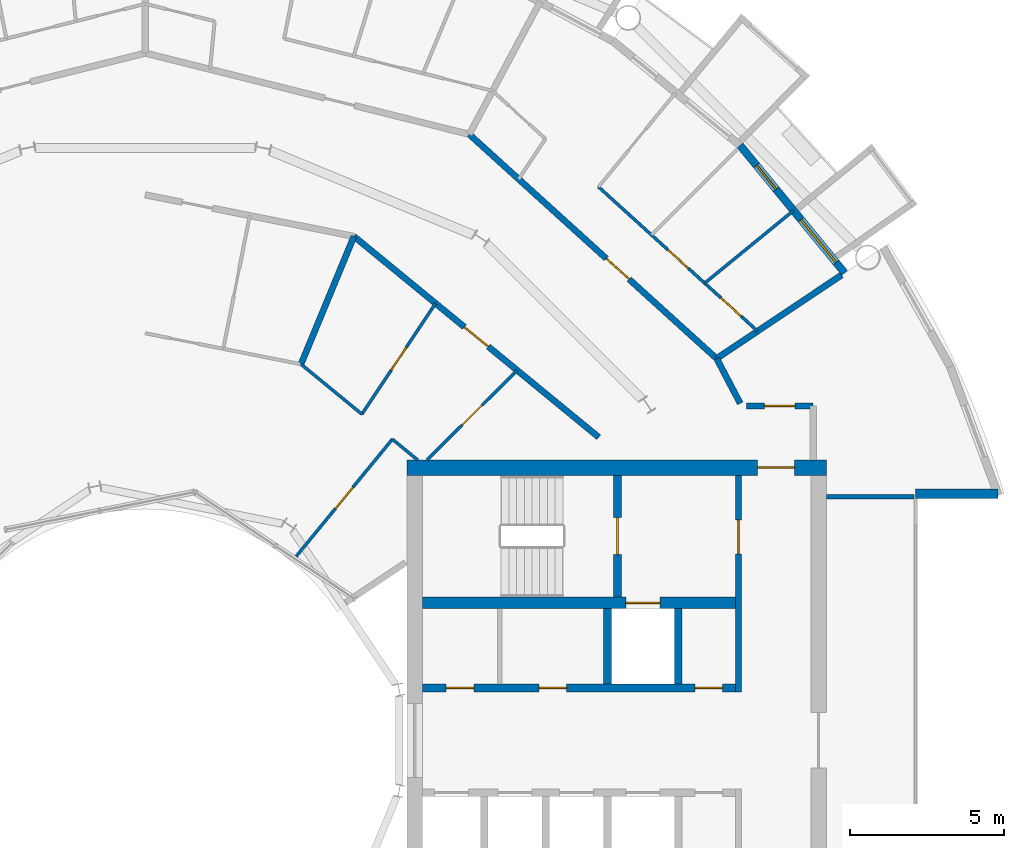
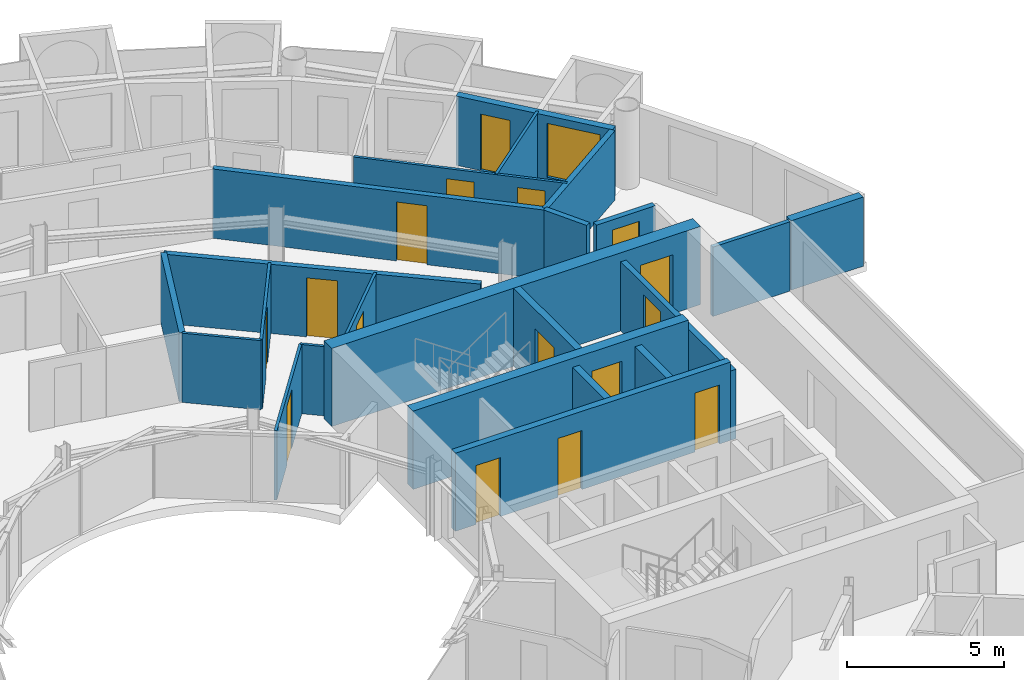
# One storey, part 22 of 26: 23 walls, 16 doors, 1 window, 17 openings.
"""IFC4 building model written with IfcOpenShell, lengths in metres."""

from ifc_helpers import new_model, si_unit, direction, frame, frame_2d, origin, place, context, subcontext, project, spatial, rectangle, extrude, material, layer, layer_set, type_object, element, fill, save


model = new_model("IFC4")

# Units and contexts
model_context = context("Model", 3, precision=1e-05, world=origin(), true_north=direction((0.0, 1.0)))
body_context = subcontext(model_context, "Body", "Model", "MODEL_VIEW")
ifc_project = project(units=[si_unit("LENGTHUNIT", "METRE"), si_unit("AREAUNIT", "SQUARE_METRE"), si_unit("VOLUMEUNIT", "CUBIC_METRE"), si_unit("PLANEANGLEUNIT", "RADIAN"), si_unit("MASSUNIT", "GRAM", prefix="KILO")], contexts=[model_context])

# Site, building, storey
site_placement = place(None, origin())
site = spatial("IfcSite", under=ifc_project, at=site_placement, CompositionType="ELEMENT")
building_placement = place(site_placement, origin())
building = spatial("IfcBuilding", under=site, at=building_placement, Name="Maasbend Ring Residences", CompositionType="ELEMENT")
storey_placement = place(building_placement, frame((0.0, 0.0, 161.60009765625)))
storey = spatial("IfcBuildingStorey", under=building, at=storey_placement, Name="L46", CompositionType="ELEMENT", Elevation=161.60009765625)

# Wall, openings, doors
ifc_material_1 = material(Name="Concrete C60/75", Category="concrete")
ifc_layer_1 = layer(ifc_material_1, 0.25)
ifc_layer_set_1 = layer_set([ifc_layer_1], Name="Concrete C60/75")
wall_type_1 = type_object("IfcWallType", Name="CORE WALL 250 C60/75", PredefinedType="SHEAR", material=ifc_layer_set_1)
wall_1_placement = place(storey_placement, frame((9.0, 1.699951171875, 0.0), z_axis=(0.0, 0.0, 1.0), x_axis=(1.0, 0.0, 0.0)))
wall_1 = element("IfcWall", 1, at=wall_1_placement, inside=storey, type_object=wall_type_1, Name="L46 core E wall SPN", PredefinedType="SHEAR", context=body_context, shape_type="SweptSolid", body=[
    extrude(rectangle(XDim=10.14990234375, YDim=0.25, at=frame_2d((5.074951171875, 0.0))), origin(), (0.0, 0.0, 1.0), 3.0498046875),
])
opening_1_placement = place(wall_1_placement, frame((0.762451171875, 0.0, 0.0)))
opening_1 = element("IfcOpeningElement", 2, at=opening_1_placement, cuts=wall_1, Name="Opening D-E4606", PredefinedType="OPENING", context=body_context, shape_type="SweptSolid", body=[
    extrude(rectangle(XDim=0.89990234375, YDim=2.300048828125, at=frame_2d((0.449951171875, 1.14990234375))), frame((0.0, 0.135009765625, 0.0), z_axis=(0.0, -1.0, 0.0), x_axis=(1.0, 0.0, 0.0)), (0.0, 0.0, 1.0), 0.27001953125),
])
opening_2_placement = place(wall_1_placement, frame((3.77490234375, 0.0, 0.0)))
opening_2 = element("IfcOpeningElement", 3, at=opening_2_placement, cuts=wall_1, Name="Opening D-E4607", PredefinedType="OPENING", context=body_context, shape_type="SweptSolid", body=[
    extrude(rectangle(XDim=0.89990234375, YDim=2.300048828125, at=frame_2d((0.449951171875, 1.14990234375))), frame((0.0, 0.135009765625, 0.0), z_axis=(0.0, -1.0, 0.0), x_axis=(1.0, 0.0, 0.0)), (0.0, 0.0, 1.0), 0.27001953125),
])
opening_3_placement = place(wall_1_placement, frame((8.83740234375, 0.0, 0.0)))
opening_3 = element("IfcOpeningElement", 4, at=opening_3_placement, cuts=wall_1, Name="Opening D-E4608", PredefinedType="OPENING", context=body_context, shape_type="SweptSolid", body=[
    extrude(rectangle(XDim=0.89990234375, YDim=2.300048828125, at=frame_2d((0.449951171875, 1.14990234375))), frame((0.0, 0.135009765625, 0.0), z_axis=(0.0, -1.0, 0.0), x_axis=(1.0, 0.0, 0.0)), (0.0, 0.0, 1.0), 0.27001953125),
])
ifc_material_2 = material(Name="Steel, powder coated", Category="steel")
door_type_1 = type_object("IfcDoorType", Name="ROOM DOOR 900 X 2300 FD30S", OperationType="NOTDEFINED", PredefinedType="DOOR", material=ifc_material_2)
door_1_placement = place(opening_1_placement, origin())
door_1 = element("IfcDoor", 5, at=door_1_placement, inside=storey, type_object=door_type_1, Name="Room door L46", OperationType="SINGLE_SWING_RIGHT", OverallHeight=2.300048828125, OverallWidth=0.89990234375, PredefinedType="DOOR", context=body_context, shape_type="SweptSolid", body=[
    extrude(rectangle(XDim=0.89990234375, YDim=2.300048828125, at=frame_2d((0.449951171875, 1.14990234375))), frame((0.0, 0.02490234375, 0.0), z_axis=(0.0, -1.0, 0.0), x_axis=(1.0, 0.0, 0.0)), (0.0, 0.0, 1.0), 0.050048828125),
])
fill(opening_1, door_1)
door_2_placement = place(opening_2_placement, origin())
door_2 = element("IfcDoor", 6, at=door_2_placement, inside=storey, type_object=door_type_1, Name="Room door L46", OperationType="SINGLE_SWING_RIGHT", OverallHeight=2.300048828125, OverallWidth=0.89990234375, PredefinedType="DOOR", context=body_context, shape_type="SweptSolid", body=[
    extrude(rectangle(XDim=0.89990234375, YDim=2.300048828125, at=frame_2d((0.449951171875, 1.14990234375))), frame((0.0, 0.02490234375, 0.0), z_axis=(0.0, -1.0, 0.0), x_axis=(1.0, 0.0, 0.0)), (0.0, 0.0, 1.0), 0.050048828125),
])
fill(opening_2, door_2)
door_3_placement = place(opening_3_placement, origin())
door_3 = element("IfcDoor", 7, at=door_3_placement, inside=storey, type_object=door_type_1, Name="Room door L46", OperationType="SINGLE_SWING_LEFT", OverallHeight=2.300048828125, OverallWidth=0.89990234375, PredefinedType="DOOR", context=body_context, shape_type="SweptSolid", body=[
    extrude(rectangle(XDim=0.89990234375, YDim=2.300048828125, at=frame_2d((0.449951171875, 1.14990234375))), frame((0.0, 0.02490234375, 0.0), z_axis=(0.0, -1.0, 0.0), x_axis=(1.0, 0.0, 0.0)), (0.0, 0.0, 1.0), 0.050048828125),
])
fill(opening_3, door_3)

# Wall, opening, door
wall_2_placement = place(storey_placement, frame((15.324951171875, 4.64990234375, 0.0), z_axis=(0.0, 0.0, 1.0), x_axis=(0.0, 1.0, 0.0)))
wall_2 = element("IfcWall", 8, at=wall_2_placement, inside=storey, type_object=wall_type_1, Name="L46 core E wall STEN", PredefinedType="SHEAR", context=body_context, shape_type="SweptSolid", body=[
    extrude(rectangle(XDim=3.9501953125, YDim=0.25, at=frame_2d((1.97509765625, 0.0))), origin(), (0.0, 0.0, 1.0), 3.0498046875),
])
opening_4_placement = place(wall_2_placement, frame((1.375, 0.0, 0.0)))
opening_4 = element("IfcOpeningElement", 9, at=opening_4_placement, cuts=wall_2, Name="Opening D-E4611", PredefinedType="OPENING", context=body_context, shape_type="SweptSolid", body=[
    extrude(rectangle(XDim=1.199951171875, YDim=2.300048828125, at=frame_2d((0.60009765625, 1.14990234375))), frame((0.0, 0.135009765625, 0.0), z_axis=(0.0, -1.0, 0.0), x_axis=(1.0, 0.0, 0.0)), (0.0, 0.0, 1.0), 0.27001953125),
])
ifc_material_3 = material(Name="Steel, powder coated", Category="steel")
door_type_2 = type_object("IfcDoorType", Name="STAIR DOOR 1200 X 2300 FD60", OperationType="NOTDEFINED", PredefinedType="DOOR", material=ifc_material_3)
door_4_placement = place(opening_4_placement, origin())
door_4 = element("IfcDoor", 10, at=door_4_placement, inside=storey, type_object=door_type_2, Name="Stair door ST-E L46", OperationType="SINGLE_SWING_LEFT", OverallHeight=2.300048828125, OverallWidth=1.199951171875, PredefinedType="DOOR", context=body_context, shape_type="SweptSolid", body=[
    extrude(rectangle(XDim=1.199951171875, YDim=2.300048828125, at=frame_2d((0.60009765625, 1.14990234375))), frame((0.0, 0.02490234375, 0.0), z_axis=(0.0, -1.0, 0.0), x_axis=(1.0, 0.0, 0.0)), (0.0, 0.0, 1.0), 0.050048828125),
])
fill(opening_4, door_4)

ifc_material_4 = material(Name="Concrete C60/75", Category="concrete")
ifc_layer_2 = layer(ifc_material_4, 0.375)
ifc_layer_set_2 = layer_set([ifc_layer_2], Name="Concrete C60/75")
wall_type_2 = type_object("IfcWallType", Name="CORE WALL 375 C60/75", PredefinedType="SHEAR", material=ifc_layer_set_2)
wall_3_placement = place(storey_placement, frame((9.0, 4.46240234375, 0.0), z_axis=(0.0, 0.0, 1.0), x_axis=(1.0, 0.0, 0.0)))
wall_3 = element("IfcWall", 11, at=wall_3_placement, inside=storey, type_object=wall_type_2, Name="L46 core E wall BN", PredefinedType="SHEAR", context=body_context, shape_type="SweptSolid", body=[
    extrude(rectangle(XDim=10.14990234375, YDim=0.375, at=frame_2d((5.074951171875, 0.0))), origin(), (0.0, 0.0, 1.0), 3.0498046875),
])
opening_5_placement = place(wall_3_placement, frame((6.60009765625, 0.0, 0.0)))
opening_5 = element("IfcOpeningElement", 12, at=opening_5_placement, cuts=wall_3, Name="Opening LD-E4601", PredefinedType="OPENING", context=body_context, shape_type="SweptSolid", body=[
    extrude(rectangle(XDim=1.10009765625, YDim=2.300048828125, at=frame_2d((0.550048828125, 1.14990234375))), frame((0.0, 0.197509765625, 0.0), z_axis=(0.0, -1.0, 0.0), x_axis=(1.0, 0.0, 0.0)), (0.0, 0.0, 1.0), 0.39501953125),
])
ifc_material_5 = material(Name="Stainless steel 316", Category="steel")
door_type_3 = type_object("IfcDoorType", Name="LANDING DOOR 1100 X 2300 FD60", OperationType="DOUBLE_DOOR_SLIDING", PredefinedType="DOOR", material=ifc_material_5)
door_5_placement = place(opening_5_placement, origin())
door_5 = element("IfcDoor", 13, at=door_5_placement, inside=storey, type_object=door_type_3, Name="Landing door FF-E L46", OperationType="DOUBLE_DOOR_SLIDING", OverallHeight=2.300048828125, OverallWidth=1.10009765625, PredefinedType="DOOR", context=body_context, shape_type="SweptSolid", body=[
    extrude(rectangle(XDim=1.10009765625, YDim=2.300048828125, at=frame_2d((0.550048828125, 1.14990234375))), frame((0.0, 0.02490234375, 0.0), z_axis=(0.0, -1.0, 0.0), x_axis=(1.0, 0.0, 0.0)), (0.0, 0.0, 1.0), 0.050048828125),
])
fill(opening_5, door_5)

ifc_material_6 = material(Name="Concrete C60/75", Category="concrete")
ifc_layer_3 = layer(ifc_material_6, 0.5)
ifc_layer_set_3 = layer_set([ifc_layer_3], Name="Concrete C60/75")
wall_type_3 = type_object("IfcWallType", Name="CORE WALL 500 C60/75", PredefinedType="SHEAR", material=ifc_layer_set_3)
wall_4_placement = place(storey_placement, frame((22.10009765625, 8.85009765625, 0.0), z_axis=(0.0, 0.0, 1.0), x_axis=(-1.0, 0.0, 0.0)))
wall_4 = element("IfcWall", 14, at=wall_4_placement, inside=storey, type_object=wall_type_3, Name="L46 core E wall PN", PredefinedType="SHEAR", context=body_context, shape_type="SweptSolid", body=[
    extrude(rectangle(XDim=13.60009765625, YDim=0.5, at=frame_2d((6.800048828125, 0.0))), origin(), (0.0, 0.0, 1.0), 3.0498046875),
])
opening_6_placement = place(wall_4_placement, frame((1.02490234375, 0.0, 0.0)))
opening_6 = element("IfcOpeningElement", 15, at=opening_6_placement, cuts=wall_4, Name="Opening D-E4615", PredefinedType="OPENING", context=body_context, shape_type="SweptSolid", body=[
    extrude(rectangle(XDim=1.199951171875, YDim=2.300048828125, at=frame_2d((0.60009765625, 1.14990234375))), frame((0.0, 0.260009765625, 0.0), z_axis=(0.0, -1.0, 0.0), x_axis=(1.0, 0.0, 0.0)), (0.0, 0.0, 1.0), 0.52001953125),
])
ifc_material_7 = material(Name="Steel, powder coated", Category="steel")
door_type_4 = type_object("IfcDoorType", Name="CORRIDOR DOOR 1200 X 2300 FD30S", OperationType="NOTDEFINED", PredefinedType="DOOR", material=ifc_material_7)
door_6_placement = place(opening_6_placement, origin())
door_6 = element("IfcDoor", 16, at=door_6_placement, inside=storey, type_object=door_type_4, Name="Corridor door L46", OperationType="SINGLE_SWING_RIGHT", OverallHeight=2.300048828125, OverallWidth=1.199951171875, PredefinedType="DOOR", context=body_context, shape_type="SweptSolid", body=[
    extrude(rectangle(XDim=1.199951171875, YDim=2.300048828125, at=frame_2d((0.60009765625, 1.14990234375))), frame((0.0, 0.02490234375, 0.0), z_axis=(0.0, -1.0, 0.0), x_axis=(1.0, 0.0, 0.0)), (0.0, 0.0, 1.0), 0.050048828125),
])
fill(opening_6, door_6)

ifc_material_8 = material(Name="Concrete C30/37", Category="concrete")
ifc_layer_4 = layer(ifc_material_8, 0.199951171875)
ifc_layer_set_4 = layer_set([ifc_layer_4], Name="Concrete C30/37")
wall_type_4 = type_object("IfcWallType", Name="CORRIDOR WALL 200 CONCRETE", PredefinedType="PARTITIONING", material=ifc_layer_set_4)
wall_5_placement = place(storey_placement, frame((19.50390625, 10.85009765625, 0.0), z_axis=(0.0, 0.0, 1.0), x_axis=(1.0, 0.0, 0.0)))
wall_5 = element("IfcWall", 17, at=wall_5_placement, inside=storey, type_object=wall_type_4, Name="U-L46-w095", PredefinedType="PARTITIONING", context=body_context, shape_type="SweptSolid", body=[
    extrude(rectangle(XDim=2.171142578125, YDim=0.199951171875, at=frame_2d((1.08544921875, 0.0))), origin(), (0.0, 0.0, 1.0), 2.699951171875),
])
opening_7_placement = place(wall_5_placement, frame((0.5849609375, 0.0, 0.0)))
opening_7 = element("IfcOpeningElement", 18, at=opening_7_placement, cuts=wall_5, Name="Opening D-4669", PredefinedType="OPENING", context=body_context, shape_type="SweptSolid", body=[
    extrude(rectangle(XDim=1.0, YDim=2.300048828125, at=frame_2d((0.5, 1.14990234375))), frame((0.0, 0.10986328125, 0.0), z_axis=(0.0, -1.0, 0.0), x_axis=(1.0, 0.0, 0.0)), (0.0, 0.0, 1.0), 0.219970703125),
])
ifc_material_9 = material(Name="Timber, painted", Category="wood")
door_type_5 = type_object("IfcDoorType", Name="ROOM DOOR 1000 X 2300", OperationType="NOTDEFINED", PredefinedType="DOOR", material=ifc_material_9)
door_7_placement = place(opening_7_placement, origin())
door_7 = element("IfcDoor", 19, at=door_7_placement, inside=storey, type_object=door_type_5, Name="D-4669", OperationType="SINGLE_SWING_LEFT", OverallHeight=2.300048828125, OverallWidth=1.0, PredefinedType="DOOR", context=body_context, shape_type="SweptSolid", body=[
    extrude(rectangle(XDim=1.0, YDim=2.300048828125, at=frame_2d((0.5, 1.14990234375))), frame((0.0, 0.02490234375, 0.0), z_axis=(0.0, -1.0, 0.0), x_axis=(1.0, 0.0, 0.0)), (0.0, 0.0, 1.0), 0.050048828125),
])
fill(opening_7, door_7)

wall_6_placement = place(storey_placement, frame((6.77294921875, 16.35302734375, 0.0), z_axis=(0.0, 0.0, 1.0), x_axis=(0.773034536097, -0.634363938131, 0.0)))
wall_6 = element("IfcWall", 20, at=wall_6_placement, inside=storey, type_object=wall_type_4, Name="U-L46-w102", PredefinedType="PARTITIONING", context=body_context, shape_type="SweptSolid", body=[
    extrude(rectangle(XDim=10.276611328125, YDim=0.199951171875, at=frame_2d((5.13818359375, 0.0))), origin(), (0.0, 0.0, 1.0), 2.699951171875),
])
opening_8_placement = place(wall_6_placement, frame((4.637939453125, 0.0, 0.0)))
opening_8 = element("IfcOpeningElement", 21, at=opening_8_placement, cuts=wall_6, Name="Opening D-4621", PredefinedType="OPENING", context=body_context, shape_type="SweptSolid", body=[
    extrude(rectangle(XDim=1.0, YDim=2.300048828125, at=frame_2d((0.5, 1.14990234375))), frame((0.0, 0.10986328125, 0.0), z_axis=(0.0, -1.0, 0.0), x_axis=(1.0, 0.0, 0.0)), (0.0, 0.0, 1.0), 0.219970703125),
])
ifc_material_10 = material(Name="Timber, fire-rated, painted", Category="wood")
door_type_6 = type_object("IfcDoorType", Name="FLAT ENTRANCE DOOR 1000 X 2300 FIRE-RATED", OperationType="NOTDEFINED", PredefinedType="DOOR", material=ifc_material_10)
door_8_placement = place(opening_8_placement, origin())
door_8 = element("IfcDoor", 22, at=door_8_placement, inside=storey, type_object=door_type_6, Name="D-4621", OperationType="SINGLE_SWING_RIGHT", OverallHeight=2.300048828125, OverallWidth=1.0, PredefinedType="DOOR", context=body_context, shape_type="SweptSolid", body=[
    extrude(rectangle(XDim=1.0, YDim=2.300048828125, at=frame_2d((0.5, 1.14990234375))), frame((0.0, 0.02490234375, 0.0), z_axis=(0.0, -1.0, 0.0), x_axis=(1.0, 0.0, 0.0)), (0.0, 0.0, 1.0), 0.050048828125),
])
fill(opening_8, door_8)

wall_7_placement = place(storey_placement, frame((10.511962890625, 19.6669921875, 0.0), z_axis=(0.0, 0.0, 1.0), x_axis=(0.740849323054, -0.67167125927, 0.0)))
wall_7 = element("IfcWall", 23, at=wall_7_placement, inside=storey, type_object=wall_type_4, Name="U-L46-w107", PredefinedType="PARTITIONING", context=body_context, shape_type="SweptSolid", body=[
    extrude(rectangle(XDim=10.841552734375, YDim=0.199951171875, at=frame_2d((5.4208984375, 0.0))), origin(), (0.0, 0.0, 1.0), 2.699951171875),
])
opening_9_placement = place(wall_7_placement, frame((6.0029296875, 0.0, 0.0)))
opening_9 = element("IfcOpeningElement", 24, at=opening_9_placement, cuts=wall_7, Name="Opening D-4601", PredefinedType="OPENING", context=body_context, shape_type="SweptSolid", body=[
    extrude(rectangle(XDim=1.0, YDim=2.300048828125, at=frame_2d((0.5, 1.14990234375))), frame((0.0, 0.10986328125, 0.0), z_axis=(0.0, -1.0, 0.0), x_axis=(1.0, 0.0, 0.0)), (0.0, 0.0, 1.0), 0.219970703125),
])
door_9_placement = place(opening_9_placement, origin())
door_9 = element("IfcDoor", 25, at=door_9_placement, inside=storey, type_object=door_type_6, Name="D-4601", OperationType="SINGLE_SWING_RIGHT", OverallHeight=2.300048828125, OverallWidth=1.0, PredefinedType="DOOR", context=body_context, shape_type="SweptSolid", body=[
    extrude(rectangle(XDim=1.0, YDim=2.300048828125, at=frame_2d((0.5, 1.14990234375))), frame((0.0, 0.02490234375, 0.0), z_axis=(0.0, -1.0, 0.0), x_axis=(1.0, 0.0, 0.0)), (0.0, 0.0, 1.0), 0.050048828125),
])
fill(opening_9, door_9)

# Wall
wall_8_placement = place(storey_placement, frame((18.5419921875, 12.388916015625, 0.0), z_axis=(0.0, 0.0, 1.0), x_axis=(0.465605550524, -0.884992356646, 0.0)))
element("IfcWall", 26, at=wall_8_placement, inside=storey, type_object=wall_type_4, Name="U-L46-w111", PredefinedType="PARTITIONING", context=body_context, shape_type="SweptSolid", body=[
    extrude(rectangle(XDim=1.642822265625, YDim=0.199951171875, at=frame_2d((0.8212890625, 0.0))), origin(), (0.0, 0.0, 1.0), 2.699951171875),
])

# Wall, openings, door, window
ifc_material_11 = material(Name="Aluminium clad insulated panel", Category="aluminium")
ifc_layer_5 = layer(ifc_material_11, 0.25)
ifc_layer_set_5 = layer_set([ifc_layer_5], Name="EW-GL")
wall_type_5 = type_object("IfcWallType", Name="EW-GL", PredefinedType="SOLIDWALL", material=ifc_layer_set_5)
wall_9_placement = place(storey_placement, frame((22.698974609375, 15.1669921875, 0.0), z_axis=(0.0, 0.0, 1.0), x_axis=(-0.634382322723, 0.773019449054, 0.0)))
wall_9 = element("IfcWall", 27, at=wall_9_placement, inside=storey, type_object=wall_type_5, Name="External wall N01", PredefinedType="SOLIDWALL", context=body_context, shape_type="SweptSolid", body=[
    extrude(rectangle(XDim=5.351806640625, YDim=0.25, at=frame_2d((2.67578125, 0.0))), origin(), (0.0, 0.0, 1.0), 2.699951171875),
])
opening_10_placement = place(wall_9_placement, frame((0.441162109375, 0.0, 0.300048828125)))
opening_10 = element("IfcOpeningElement", 28, at=opening_10_placement, cuts=wall_9, Name="Opening W-BX", PredefinedType="OPENING", context=body_context, shape_type="SweptSolid", body=[
    extrude(rectangle(XDim=1.800048828125, YDim=2.10009765625, at=frame_2d((0.89990234375, 1.050048828125))), frame((0.0, 0.135009765625, 0.0), z_axis=(0.0, -1.0, 0.0), x_axis=(1.0, 0.0, 0.0)), (0.0, 0.0, 1.0), 0.27001953125),
])
opening_11_placement = place(wall_9_placement, frame((3.510498046875, 0.0, 0.0)))
opening_11 = element("IfcOpeningElement", 29, at=opening_11_placement, cuts=wall_9, Name="Opening D-LG", PredefinedType="OPENING", context=body_context, shape_type="SweptSolid", body=[
    extrude(rectangle(XDim=1.0, YDim=2.199951171875, at=frame_2d((0.5, 1.10009765625))), frame((0.0, 0.135009765625, 0.0), z_axis=(0.0, -1.0, 0.0), x_axis=(1.0, 0.0, 0.0)), (0.0, 0.0, 1.0), 0.27001953125),
])
ifc_material_12 = material(Name="Aluminium and clear glass", Category="aluminium")
door_type_7 = type_object("IfcDoorType", Name="D-LG", OperationType="SINGLE_SWING_LEFT", PredefinedType="DOOR", material=ifc_material_12)
door_10_placement = place(opening_11_placement, origin())
door_10 = element("IfcDoor", 30, at=door_10_placement, inside=storey, type_object=door_type_7, Name="Loggia door N02", OperationType="SINGLE_SWING_LEFT", OverallHeight=2.199951171875, OverallWidth=1.0, PredefinedType="DOOR", context=body_context, shape_type="SweptSolid", body=[
    extrude(rectangle(XDim=1.0, YDim=2.199951171875, at=frame_2d((0.5, 1.10009765625))), frame((0.0, 0.02490234375, 0.0), z_axis=(0.0, -1.0, 0.0), x_axis=(1.0, 0.0, 0.0)), (0.0, 0.0, 1.0), 0.050048828125),
])
fill(opening_11, door_10)
ifc_material_13 = material(Name="Aluminium and clear glass", Category="aluminium")
window_type = type_object("IfcWindowType", Name="W-BX", PartitioningType="DOUBLE_PANEL_VERTICAL", PredefinedType="WINDOW", material=ifc_material_13)
window_placement = place(opening_10_placement, origin())
window = element("IfcWindow", 31, at=window_placement, inside=storey, type_object=window_type, Name="Window N01 room to box", OverallHeight=2.10009765625, OverallWidth=1.800048828125, PartitioningType="SINGLE_PANEL", PredefinedType="WINDOW", context=body_context, shape_type="SweptSolid", body=[
    extrude(rectangle(XDim=1.800048828125, YDim=2.10009765625, at=frame_2d((0.89990234375, 1.050048828125))), frame((0.0, 0.030029296875, 0.0), z_axis=(0.0, -1.0, 0.0), x_axis=(1.0, 0.0, 0.0)), (0.0, 0.0, 1.0), 0.06005859375),
])
fill(opening_10, window)

# Wall
ifc_material_14 = material(Name="Aluminium clad insulated panel", Category="aluminium")
ifc_layer_6 = layer(ifc_material_14, 0.300048828125)
ifc_layer_set_6 = layer_set([ifc_layer_6], Name="EW-RET")
wall_type_6 = type_object("IfcWallType", Name="EW-RET", PredefinedType="SOLIDWALL", material=ifc_layer_set_6)
wall_10_placement = place(storey_placement, frame((25.0, 8.0, 0.0), z_axis=(0.0, 0.0, 1.0), x_axis=(1.0, 0.0, 0.0)))
element("IfcWall", 32, at=wall_10_placement, inside=storey, type_object=wall_type_6, Name="Notch return wall east north", PredefinedType="SOLIDWALL", context=body_context, shape_type="SweptSolid", body=[
    extrude(rectangle(XDim=2.6669921875, YDim=0.300048828125, at=frame_2d((1.33349609375, 0.0))), origin(), (0.0, 0.0, 1.0), 2.699951171875),
])

# Wall, opening, door
ifc_material_15 = material(Name="Gypsum board on steel studs", Category="steel")
ifc_layer_7 = layer(ifc_material_15, 0.10009765625)
ifc_layer_set_7 = layer_set([ifc_layer_7], Name="PARTITION 100 GYPSUM")
wall_type_7 = type_object("IfcWallType", Name="PARTITION 100 GYPSUM", PredefinedType="PARTITIONING", material=ifc_layer_set_7)
wall_11_placement = place(storey_placement, frame((4.89794921875, 5.968017578125, 0.0), z_axis=(0.0, 0.0, 1.0), x_axis=(0.634401778971, 0.773003481776, 0.0)))
wall_11 = element("IfcWall", 33, at=wall_11_placement, inside=storey, type_object=wall_type_7, Name="U-L46-w069", PredefinedType="PARTITIONING", context=body_context, shape_type="SweptSolid", body=[
    extrude(rectangle(XDim=4.919677734375, YDim=0.10009765625, at=frame_2d((2.4599609375, 0.0))), origin(), (0.0, 0.0, 1.0), 2.699951171875),
])
opening_12_placement = place(wall_11_placement, frame((2.010009765625, 0.0, 0.0)))
opening_12 = element("IfcOpeningElement", 34, at=opening_12_placement, cuts=wall_11, Name="Opening D-4624", PredefinedType="OPENING", context=body_context, shape_type="SweptSolid", body=[
    extrude(rectangle(XDim=0.89990234375, YDim=2.300048828125, at=frame_2d((0.449951171875, 1.14990234375))), frame((0.0, 0.06005859375, 0.0), z_axis=(0.0, -1.0, 0.0), x_axis=(1.0, 0.0, 0.0)), (0.0, 0.0, 1.0), 0.1201171875),
])
ifc_material_16 = material(Name="Timber, painted", Category="wood")
door_type_8 = type_object("IfcDoorType", Name="INTERNAL DOOR 900 X 2300", OperationType="NOTDEFINED", PredefinedType="DOOR", material=ifc_material_16)
door_11_placement = place(opening_12_placement, origin())
door_11 = element("IfcDoor", 35, at=door_11_placement, inside=storey, type_object=door_type_8, Name="D-4624", OperationType="SINGLE_SWING_RIGHT", OverallHeight=2.300048828125, OverallWidth=0.89990234375, PredefinedType="DOOR", context=body_context, shape_type="SweptSolid", body=[
    extrude(rectangle(XDim=0.89990234375, YDim=2.300048828125, at=frame_2d((0.449951171875, 1.14990234375))), frame((0.0, 0.02490234375, 0.0), z_axis=(0.0, -1.0, 0.0), x_axis=(1.0, 0.0, 0.0)), (0.0, 0.0, 1.0), 0.050048828125),
])
fill(opening_12, door_11)

wall_12_placement = place(storey_placement, frame((7.031005859375, 10.58203125, 0.0), z_axis=(0.0, 0.0, 1.0), x_axis=(0.553303732327, 0.832979579457, 0.0)))
wall_12 = element("IfcWall", 36, at=wall_12_placement, inside=storey, type_object=wall_type_7, Name="U-L46-w074", PredefinedType="PARTITIONING", context=body_context, shape_type="SweptSolid", body=[
    extrude(rectangle(XDim=4.3193359375, YDim=0.10009765625, at=frame_2d((2.15966796875, 0.0))), origin(), (0.0, 0.0, 1.0), 2.699951171875),
])
opening_13_placement = place(wall_12_placement, frame((1.7099609375, 0.0, 0.0)))
opening_13 = element("IfcOpeningElement", 37, at=opening_13_placement, cuts=wall_12, Name="Opening D-4622", PredefinedType="OPENING", context=body_context, shape_type="SweptSolid", body=[
    extrude(rectangle(XDim=0.89990234375, YDim=2.300048828125, at=frame_2d((0.449951171875, 1.14990234375))), frame((0.0, 0.06005859375, 0.0), z_axis=(0.0, -1.0, 0.0), x_axis=(1.0, 0.0, 0.0)), (0.0, 0.0, 1.0), 0.1201171875),
])
door_12_placement = place(opening_13_placement, origin())
door_12 = element("IfcDoor", 38, at=door_12_placement, inside=storey, type_object=door_type_8, Name="D-4622", OperationType="SINGLE_SWING_LEFT", OverallHeight=2.300048828125, OverallWidth=0.89990234375, PredefinedType="DOOR", context=body_context, shape_type="SweptSolid", body=[
    extrude(rectangle(XDim=0.89990234375, YDim=2.300048828125, at=frame_2d((0.449951171875, 1.14990234375))), frame((0.0, 0.02490234375, 0.0), z_axis=(0.0, -1.0, 0.0), x_axis=(1.0, 0.0, 0.0)), (0.0, 0.0, 1.0), 0.050048828125),
])
fill(opening_13, door_12)

wall_13_placement = place(storey_placement, frame((9.14794921875, 9.10009765625, 0.0), z_axis=(0.0, 0.0, 1.0), x_axis=(0.708822693149, 0.705386695138, 0.0)))
wall_13 = element("IfcWall", 39, at=wall_13_placement, inside=storey, type_object=wall_type_7, Name="U-L46-w078", PredefinedType="PARTITIONING", context=body_context, shape_type="SweptSolid", body=[
    extrude(rectangle(XDim=4.12109375, YDim=0.10009765625, at=frame_2d((2.060546875, 0.0))), origin(), (0.0, 0.0, 1.0), 2.699951171875),
])
opening_14_placement = place(wall_13_placement, frame((1.611083984375, 0.0, 0.0)))
opening_14 = element("IfcOpeningElement", 40, at=opening_14_placement, cuts=wall_13, Name="Opening D-4623", PredefinedType="OPENING", context=body_context, shape_type="SweptSolid", body=[
    extrude(rectangle(XDim=0.89990234375, YDim=2.300048828125, at=frame_2d((0.449951171875, 1.14990234375))), frame((0.0, 0.06005859375, 0.0), z_axis=(0.0, -1.0, 0.0), x_axis=(1.0, 0.0, 0.0)), (0.0, 0.0, 1.0), 0.1201171875),
])
door_13_placement = place(opening_14_placement, origin())
door_13 = element("IfcDoor", 41, at=door_13_placement, inside=storey, type_object=door_type_8, Name="D-4623", OperationType="SINGLE_SWING_LEFT", OverallHeight=2.300048828125, OverallWidth=0.89990234375, PredefinedType="DOOR", context=body_context, shape_type="SweptSolid", body=[
    extrude(rectangle(XDim=0.89990234375, YDim=2.300048828125, at=frame_2d((0.449951171875, 1.14990234375))), frame((0.0, 0.02490234375, 0.0), z_axis=(0.0, -1.0, 0.0), x_axis=(1.0, 0.0, 0.0)), (0.0, 0.0, 1.0), 0.050048828125),
])
fill(opening_14, door_13)

# Walls
wall_14_placement = place(storey_placement, frame((18.154052734375, 14.833984375, 0.0), z_axis=(0.0, 0.0, 1.0), x_axis=(0.77429537896, 0.632824356454, 0.0)))
element("IfcWall", 42, at=wall_14_placement, inside=storey, type_object=wall_type_7, Name="U-L46-w088", PredefinedType="PARTITIONING", context=body_context, shape_type="SweptSolid", body=[
    extrude(rectangle(XDim=3.73095703125, YDim=0.10009765625, at=frame_2d((1.865478515625, 0.0))), origin(), (0.0, 0.0, 1.0), 2.699951171875),
])
wall_15_placement = place(storey_placement, frame((5.05810546875, 12.202880859375, 0.0), z_axis=(0.0, 0.0, 1.0), x_axis=(0.772764723682, -0.634692588449, 0.0)))
element("IfcWall", 43, at=wall_15_placement, inside=storey, type_object=wall_type_7, Name="U-L46-w098", PredefinedType="PARTITIONING", context=body_context, shape_type="SweptSolid", body=[
    extrude(rectangle(XDim=2.556884765625, YDim=0.10009765625, at=frame_2d((1.2783203125, 0.0))), origin(), (0.0, 0.0, 1.0), 2.699951171875),
])
wall_16_placement = place(storey_placement, frame((8.01904296875, 9.77099609375, 0.0), z_axis=(0.0, 0.0, 1.0), x_axis=(0.772730269942, -0.634734534995, 0.0)))
element("IfcWall", 44, at=wall_16_placement, inside=storey, type_object=wall_type_7, Name="U-L46-w099", PredefinedType="PARTITIONING", context=body_context, shape_type="SweptSolid", body=[
    extrude(rectangle(XDim=1.06494140625, YDim=0.10009765625, at=frame_2d((0.532470703125, 0.0))), origin(), (0.0, 0.0, 1.0), 2.699951171875),
])

# Wall, openings, doors
wall_17_placement = place(storey_placement, frame((14.708984375, 17.9580078125, 0.0), z_axis=(0.0, 0.0, 1.0), x_axis=(0.740923753351, -0.671589153962, 0.0)))
wall_17 = element("IfcWall", 45, at=wall_17_placement, inside=storey, type_object=wall_type_7, Name="U-L46-w119", PredefinedType="PARTITIONING", context=body_context, shape_type="SweptSolid", body=[
    extrude(rectangle(XDim=6.968505859375, YDim=0.10009765625, at=frame_2d((3.484375, 0.0))), origin(), (0.0, 0.0, 1.0), 2.699951171875),
])
opening_15_placement = place(wall_17_placement, frame((3.033935546875, 0.0, 0.0)))
opening_15 = element("IfcOpeningElement", 46, at=opening_15_placement, cuts=wall_17, Name="Opening D-4604", PredefinedType="OPENING", context=body_context, shape_type="SweptSolid", body=[
    extrude(rectangle(XDim=0.89990234375, YDim=2.300048828125, at=frame_2d((0.449951171875, 1.14990234375))), frame((0.0, 0.06005859375, 0.0), z_axis=(0.0, -1.0, 0.0), x_axis=(1.0, 0.0, 0.0)), (0.0, 0.0, 1.0), 0.1201171875),
])
opening_16_placement = place(wall_17_placement, frame((5.35693359375, 0.0, 0.0)))
opening_16 = element("IfcOpeningElement", 47, at=opening_16_placement, cuts=wall_17, Name="Opening D-4605", PredefinedType="OPENING", context=body_context, shape_type="SweptSolid", body=[
    extrude(rectangle(XDim=0.89990234375, YDim=2.300048828125, at=frame_2d((0.449951171875, 1.14990234375))), frame((0.0, 0.06005859375, 0.0), z_axis=(0.0, -1.0, 0.0), x_axis=(1.0, 0.0, 0.0)), (0.0, 0.0, 1.0), 0.1201171875),
])
door_14_placement = place(opening_15_placement, origin())
door_14 = element("IfcDoor", 48, at=door_14_placement, inside=storey, type_object=door_type_8, Name="D-4604", OperationType="SINGLE_SWING_LEFT", OverallHeight=2.300048828125, OverallWidth=0.89990234375, PredefinedType="DOOR", context=body_context, shape_type="SweptSolid", body=[
    extrude(rectangle(XDim=0.89990234375, YDim=2.300048828125, at=frame_2d((0.449951171875, 1.14990234375))), frame((0.0, 0.02490234375, 0.0), z_axis=(0.0, -1.0, 0.0), x_axis=(1.0, 0.0, 0.0)), (0.0, 0.0, 1.0), 0.050048828125),
])
fill(opening_15, door_14)
door_15_placement = place(opening_16_placement, origin())
door_15 = element("IfcDoor", 49, at=door_15_placement, inside=storey, type_object=door_type_8, Name="D-4605", OperationType="SINGLE_SWING_RIGHT", OverallHeight=2.300048828125, OverallWidth=0.89990234375, PredefinedType="DOOR", context=body_context, shape_type="SweptSolid", body=[
    extrude(rectangle(XDim=0.89990234375, YDim=2.300048828125, at=frame_2d((0.449951171875, 1.14990234375))), frame((0.0, 0.02490234375, 0.0), z_axis=(0.0, -1.0, 0.0), x_axis=(1.0, 0.0, 0.0)), (0.0, 0.0, 1.0), 0.050048828125),
])
fill(opening_16, door_15)

# Walls
ifc_material_17 = material(Name="Gypsum board on steel studs", Category="steel")
ifc_layer_8 = layer(ifc_material_17, 0.14990234375)
ifc_layer_set_8 = layer_set([ifc_layer_8], Name="PARTITION 150 EI 60")
wall_type_8 = type_object("IfcWallType", Name="PARTITION 150 EI 60", PredefinedType="PARTITIONING", material=ifc_layer_set_8)
wall_18_placement = place(storey_placement, frame((22.10009765625, 7.89990234375, 0.0), z_axis=(0.0, 0.0, 1.0), x_axis=(1.0, 0.0, 0.0)))
element("IfcWall", 50, at=wall_18_placement, inside=storey, type_object=wall_type_8, Name="L46 core E wall CITN", PredefinedType="PARTITIONING", context=body_context, shape_type="SweptSolid", body=[
    extrude(rectangle(XDim=2.83984375, YDim=0.14990234375, at=frame_2d((1.419921875, 0.0))), origin(), (0.0, 0.0, 1.0), 2.699951171875),
])
ifc_material_18 = material(Name="Concrete C30/37", Category="concrete")
ifc_layer_9 = layer(ifc_material_18, 0.199951171875)
ifc_layer_set_9 = layer_set([ifc_layer_9], Name="Concrete C30/37")
wall_type_9 = type_object("IfcWallType", Name="PARTY WALL 200 CONCRETE", PredefinedType="PARTITIONING", material=ifc_layer_set_9)
wall_19_placement = place(storey_placement, frame((5.054931640625, 12.2041015625, 0.0), z_axis=(0.0, 0.0, 1.0), x_axis=(0.38258387732, 0.923920763277, 0.0)))
element("IfcWall", 51, at=wall_19_placement, inside=storey, type_object=wall_type_9, Name="U-L46-w071", PredefinedType="PARTITIONING", context=body_context, shape_type="SweptSolid", body=[
    extrude(rectangle(XDim=4.490478515625, YDim=0.199951171875, at=frame_2d((2.2451171875, 0.0))), origin(), (0.0, 0.0, 1.0), 2.699951171875),
])
wall_20_placement = place(storey_placement, frame((18.5419921875, 12.388916015625, 0.0), z_axis=(0.0, 0.0, 1.0), x_axis=(0.831387096605, 0.55569370664, 0.0)))
element("IfcWall", 52, at=wall_20_placement, inside=storey, type_object=wall_type_9, Name="U-L46-w090", PredefinedType="PARTITIONING", context=body_context, shape_type="SweptSolid", body=[
    extrude(rectangle(XDim=4.875, YDim=0.199951171875, at=frame_2d((2.4375, 0.0))), origin(), (0.0, 0.0, 1.0), 2.699951171875),
])

# Wall, opening, door
ifc_material_19 = material(Name="Concrete C30/37", Category="concrete")
ifc_layer_10 = layer(ifc_material_19, 0.199951171875)
ifc_layer_set_10 = layer_set([ifc_layer_10], Name="Concrete C30/37")
wall_type_10 = type_object("IfcWallType", Name="SHAFT WALL 200 EI 120", PredefinedType="SOLIDWALL", material=ifc_layer_set_10)
wall_21_placement = place(storey_placement, frame((19.25, 1.574951171875, 0.0), z_axis=(0.0, 0.0, 1.0), x_axis=(0.0, 1.0, 0.0)))
wall_21 = element("IfcWall", 53, at=wall_21_placement, inside=storey, type_object=wall_type_10, Name="L46 core E wall ENDN", PredefinedType="SOLIDWALL", context=body_context, shape_type="SweptSolid", body=[
    extrude(rectangle(XDim=7.025146484375, YDim=0.199951171875, at=frame_2d((3.5126953125, 0.0))), origin(), (0.0, 0.0, 1.0), 2.699951171875),
])
opening_17_placement = place(wall_21_placement, frame((4.47509765625, 0.0, 0.0)))
opening_17 = element("IfcOpeningElement", 54, at=opening_17_placement, cuts=wall_21, Name="Opening D-E4613", PredefinedType="OPENING", context=body_context, shape_type="SweptSolid", body=[
    extrude(rectangle(XDim=1.10009765625, YDim=2.300048828125, at=frame_2d((0.550048828125, 1.14990234375))), frame((0.0, 0.10986328125, 0.0), z_axis=(0.0, -1.0, 0.0), x_axis=(1.0, 0.0, 0.0)), (0.0, 0.0, 1.0), 0.219970703125),
])
ifc_material_20 = material(Name="Steel, powder coated", Category="steel")
door_type_9 = type_object("IfcDoorType", Name="LOBBY DOOR 1100 X 2300 FD60", OperationType="NOTDEFINED", PredefinedType="DOOR", material=ifc_material_20)
door_16_placement = place(opening_17_placement, origin())
door_16 = element("IfcDoor", 55, at=door_16_placement, inside=storey, type_object=door_type_9, Name="Lobby door L46", OperationType="SINGLE_SWING_LEFT", OverallHeight=2.300048828125, OverallWidth=1.10009765625, PredefinedType="DOOR", context=body_context, shape_type="SweptSolid", body=[
    extrude(rectangle(XDim=1.10009765625, YDim=2.300048828125, at=frame_2d((0.550048828125, 1.14990234375))), frame((0.0, 0.02490234375, 0.0), z_axis=(0.0, -1.0, 0.0), x_axis=(1.0, 0.0, 0.0)), (0.0, 0.0, 1.0), 0.050048828125),
])
fill(opening_17, door_16)

# Walls
ifc_material_21 = material(Name="Concrete C30/37", Category="concrete")
ifc_layer_11 = layer(ifc_material_21, 0.25)
ifc_layer_set_11 = layer_set([ifc_layer_11], Name="Concrete C30/37")
wall_type_11 = type_object("IfcWallType", Name="SHAFT WALL 250 EI 120", PredefinedType="SOLIDWALL", material=ifc_layer_set_11)
for number, where, z_axis, x_axis, name in (
    (56, (15.0, 1.824951171875, 0.0), (0.0, 0.0, 1.0), (0.0, 1.0, 0.0), "L46 core E wall D150N"),
    (57, (17.300048828125, 1.824951171875, 0.0), (0.0, 0.0, 1.0), (0.0, 1.0, 0.0), "L46 core E wall D173N"),
):
    element("IfcWall", number, at=place(storey_placement, frame(where, z_axis=z_axis, x_axis=x_axis)), inside=storey, type_object=wall_type_11, Name=name, PredefinedType="SOLIDWALL", context=body_context, shape_type="SweptSolid", body=[
        extrude(rectangle(XDim=2.449951171875, YDim=0.25, at=frame_2d((1.22509765625, 0.0))), origin(), (0.0, 0.0, 1.0), 2.699951171875),
    ])

save(model, "model.ifc")
